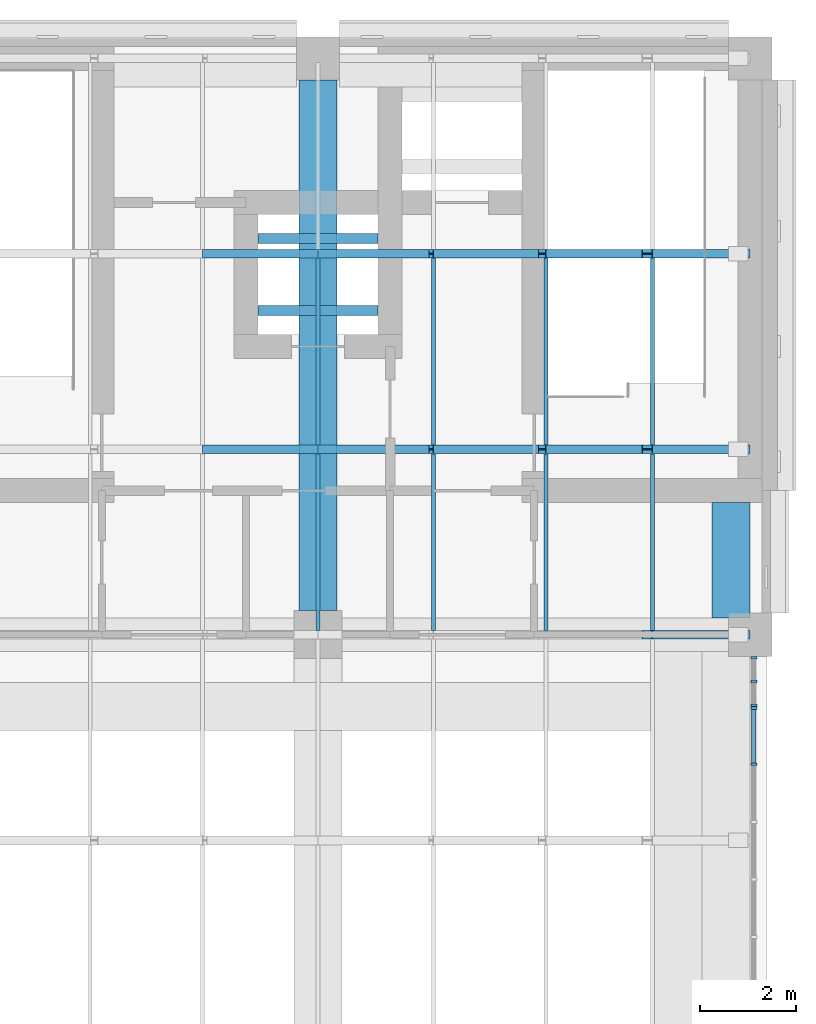
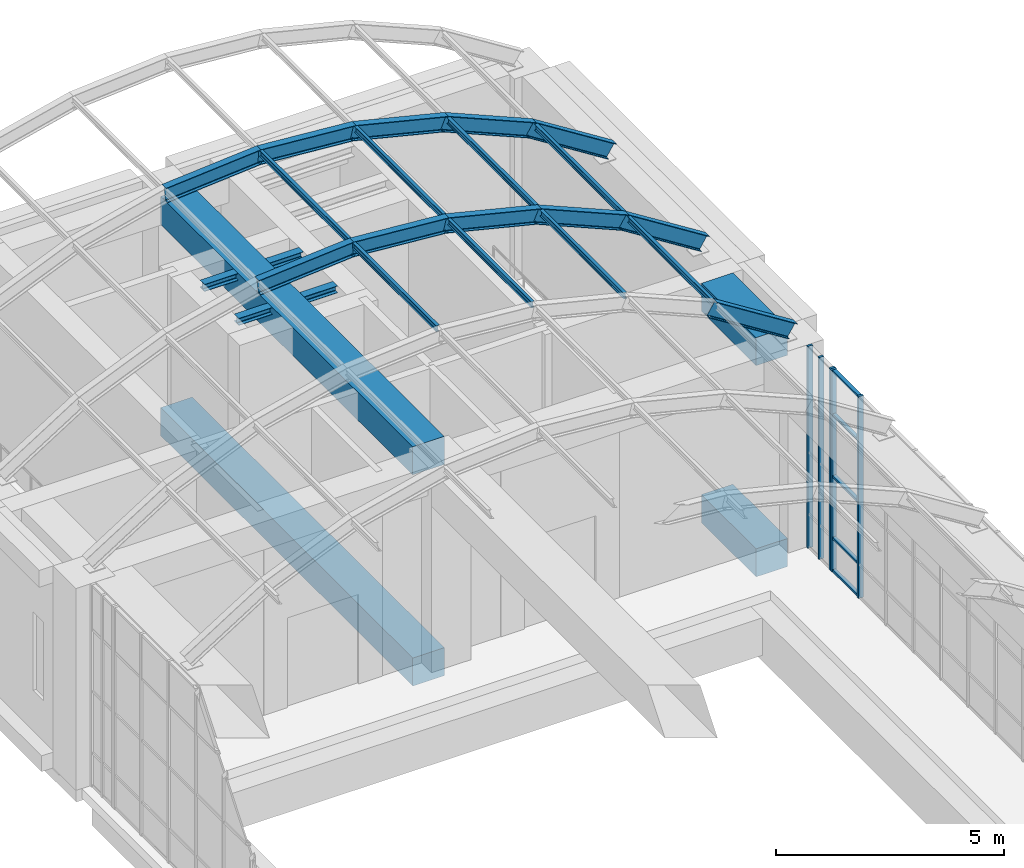
# One storey, part 11 of 39: 29 members, 6 beams, 2 elements without a shape of their own.
"""IFC4 building model written with IfcOpenShell, lengths in metres."""

from ifc_helpers import new_model, si_unit, direction, frame, origin, origin_2d, place, context, subcontext, project, spatial, rectangle, i_section, extrude, material, layer, layer_set, material_profile, profile_set, type_object, element, aggregate, save


model = new_model("IFC4")

# Units and contexts
model_context = context("Model", 3, precision=1e-05, world=origin(), true_north=direction((0.0, 1.0)))
body_context = subcontext(model_context, "Body", "Model", "MODEL_VIEW")
ifc_project = project(units=[si_unit("LENGTHUNIT", "METRE"), si_unit("AREAUNIT", "SQUARE_METRE"), si_unit("VOLUMEUNIT", "CUBIC_METRE"), si_unit("PLANEANGLEUNIT", "RADIAN"), si_unit("MASSUNIT", "GRAM", prefix="KILO")], contexts=[model_context])

# Site, building, storey
site_placement = place(None, origin())
site = spatial("IfcSite", under=ifc_project, at=site_placement, CompositionType="ELEMENT")
building_placement = place(site_placement, origin())
building = spatial("IfcBuilding", under=site, at=building_placement, Name="Aurelan Courthouse", CompositionType="ELEMENT")
storey_placement = place(building_placement, frame((0.0, 0.0, 28.199951171875)))
storey = spatial("IfcBuildingStorey", under=building, at=storey_placement, Name="L05", CompositionType="ELEMENT", Elevation=28.199951171875)

# Curtain wall, members
ifc_material_1 = material(Name="Bronze-finished aluminium and glass", Category="aluminium")
ifc_layer_1 = layer(ifc_material_1, 0.14990234375)
ifc_layer_set_1 = layer_set([ifc_layer_1], Name="Bronze-finished aluminium and glass")
curtain_wall_type_1 = type_object("IfcCurtainWallType", Name="Curtain wall 12000 x 5400", PredefinedType="NOTDEFINED", material=ifc_layer_set_1)
curtain_wall_1_placement = place(storey_placement, origin())
curtain_wall_1 = element("IfcCurtainWall", 1, at=curtain_wall_1_placement, inside=storey, type_object=curtain_wall_type_1, Name="Curtain wall CW-V3-L05-E02", PredefinedType="NOTDEFINED")
ifc_material_2 = material(Name="Bronze-finished aluminium", Category="aluminium")
ifc_material_profile_1 = material_profile(ifc_material_2, rectangle(XDim=0.125, YDim=0.06005859375, at=origin_2d()), Name="Bronze mullion 60 x 125")
ifc_profile_set_1 = profile_set([ifc_material_profile_1], Name="Bronze-finished aluminium")
member_type_1 = type_object("IfcMemberType", Name="Curtain wall mullion 60 x 125", PredefinedType="MULLION", material=ifc_profile_set_1)
member_1_placement = place(storey_placement, frame((90.074951171875, 51.300048828125, 0.0), z_axis=(0.0, 0.0, 1.0), x_axis=(-1.0, 0.0, 0.0)))
member_1 = element("IfcMember", 2, at=member_1_placement, type_object=member_type_1, Name="CW-V3-L05-E02 mullion 10", PredefinedType="MULLION", context=body_context, shape_type="SweptSolid", body=[
    extrude(rectangle(XDim=0.125, YDim=0.06005859375, at=origin_2d()), origin(), (0.0, 0.0, 1.0), 5.400146484375),
])
member_2_placement = place(storey_placement, frame((90.074951171875, 52.469970703125, 0.0), z_axis=(0.0, 0.0, 1.0), x_axis=(-1.0, 0.0, 0.0)))
member_2 = element("IfcMember", 3, at=member_2_placement, type_object=member_type_1, Name="CW-V3-L05-E02 mullion 11", PredefinedType="MULLION", context=body_context, shape_type="SweptSolid", body=[
    extrude(rectangle(XDim=0.125, YDim=0.06005859375, at=origin_2d()), origin(), (0.0, 0.0, 1.0), 5.400146484375),
])

ifc_layer_2 = layer(ifc_material_1, 0.14990234375)
ifc_layer_set_2 = layer_set([ifc_layer_2], Name="Bronze-finished aluminium and glass")
curtain_wall_type_2 = type_object("IfcCurtainWallType", Name="Curtain wall 1050 x 5400", PredefinedType="NOTDEFINED", material=ifc_layer_set_2)
curtain_wall_2_placement = place(storey_placement, origin())
curtain_wall_2 = element("IfcCurtainWall", 4, at=curtain_wall_2_placement, inside=storey, type_object=curtain_wall_type_2, Name="Curtain wall CW-V3-L05-E03", PredefinedType="NOTDEFINED")
member_3_placement = place(storey_placement, frame((90.074951171875, 52.530029296875, 0.0), z_axis=(0.0, 0.0, 1.0), x_axis=(-1.0, 0.0, 0.0)))
member_3 = element("IfcMember", 5, at=member_3_placement, type_object=member_type_1, Name="CW-V3-L05-E03 mullion 1", PredefinedType="MULLION", context=body_context, shape_type="SweptSolid", body=[
    extrude(rectangle(XDim=0.125, YDim=0.06005859375, at=origin_2d()), origin(), (0.0, 0.0, 1.0), 5.400146484375),
])
member_4_placement = place(storey_placement, frame((90.074951171875, 53.02490234375, 0.0), z_axis=(0.0, 0.0, 1.0), x_axis=(-1.0, 0.0, 0.0)))
member_4 = element("IfcMember", 6, at=member_4_placement, type_object=member_type_1, Name="CW-V3-L05-E03 mullion 2", PredefinedType="MULLION", context=body_context, shape_type="SweptSolid", body=[
    extrude(rectangle(XDim=0.125, YDim=0.06005859375, at=origin_2d()), origin(), (0.0, 0.0, 1.0), 5.400146484375),
])
member_5_placement = place(storey_placement, frame((90.074951171875, 53.52001953125, 0.0), z_axis=(0.0, 0.0, 1.0), x_axis=(-1.0, 0.0, 0.0)))
member_5 = element("IfcMember", 7, at=member_5_placement, type_object=member_type_1, Name="CW-V3-L05-E03 mullion 3", PredefinedType="MULLION", context=body_context, shape_type="SweptSolid", body=[
    extrude(rectangle(XDim=0.125, YDim=0.06005859375, at=origin_2d()), origin(), (0.0, 0.0, 1.0), 5.400146484375),
])
aggregate(curtain_wall_2, [member_3, member_4, member_5])

# Member
ifc_material_profile_2 = material_profile(ifc_material_2, rectangle(XDim=0.090087890625, YDim=0.06005859375, at=origin_2d()), Name="Bronze transom 60 x 90")
ifc_profile_set_2 = profile_set([ifc_material_profile_2], Name="Bronze-finished aluminium")
member_type_2 = type_object("IfcMemberType", Name="Curtain wall transom 60 x 90", PredefinedType="USERDEFINED", material=ifc_profile_set_2)
member_6_placement = place(storey_placement, frame((90.074951171875, 51.330078125, 0.030029296875), z_axis=(0.0, 1.0, 0.0), x_axis=(-1.0, 0.0, 0.0)))
member_6 = element("IfcMember", 8, at=member_6_placement, type_object=member_type_2, Name="CW-V3-L05-E02 transom 10.1", ObjectType="TRANSOM", PredefinedType="USERDEFINED", context=body_context, shape_type="SweptSolid", body=[
    extrude(rectangle(XDim=0.090087890625, YDim=0.06005859375, at=origin_2d()), origin(), (0.0, 0.0, 1.0), 1.10986328125),
])

member_7_placement = place(storey_placement, frame((90.074951171875, 51.330078125, 0.900146484375), z_axis=(0.0, 1.0, 0.0), x_axis=(-1.0, 0.0, 0.0)))
member_7 = element("IfcMember", 9, at=member_7_placement, type_object=member_type_2, Name="CW-V3-L05-E02 transom 10.2", ObjectType="TRANSOM", PredefinedType="USERDEFINED", context=body_context, shape_type="SweptSolid", body=[
    extrude(rectangle(XDim=0.090087890625, YDim=0.06005859375, at=origin_2d()), origin(), (0.0, 0.0, 1.0), 1.10986328125),
])

member_8_placement = place(storey_placement, frame((90.074951171875, 51.330078125, 2.550048828125), z_axis=(0.0, 1.0, 0.0), x_axis=(-1.0, 0.0, 0.0)))
member_8 = element("IfcMember", 10, at=member_8_placement, type_object=member_type_2, Name="CW-V3-L05-E02 transom 10.3", ObjectType="TRANSOM", PredefinedType="USERDEFINED", context=body_context, shape_type="SweptSolid", body=[
    extrude(rectangle(XDim=0.090087890625, YDim=0.06005859375, at=origin_2d()), origin(), (0.0, 0.0, 1.0), 1.10986328125),
])

member_9_placement = place(storey_placement, frame((90.074951171875, 51.330078125, 4.199951171875), z_axis=(0.0, 1.0, 0.0), x_axis=(-1.0, 0.0, 0.0)))
member_9 = element("IfcMember", 11, at=member_9_placement, type_object=member_type_2, Name="CW-V3-L05-E02 transom 10.4", ObjectType="TRANSOM", PredefinedType="USERDEFINED", context=body_context, shape_type="SweptSolid", body=[
    extrude(rectangle(XDim=0.090087890625, YDim=0.06005859375, at=origin_2d()), origin(), (0.0, 0.0, 1.0), 1.10986328125),
])

member_10_placement = place(storey_placement, frame((90.074951171875, 51.330078125, 5.3701171875), z_axis=(0.0, 1.0, 0.0), x_axis=(-1.0, 0.0, 0.0)))
member_10 = element("IfcMember", 12, at=member_10_placement, type_object=member_type_2, Name="CW-V3-L05-E02 transom 10.5", ObjectType="TRANSOM", PredefinedType="USERDEFINED", context=body_context, shape_type="SweptSolid", body=[
    extrude(rectangle(XDim=0.090087890625, YDim=0.06005859375, at=origin_2d()), origin(), (0.0, 0.0, 1.0), 1.10986328125),
])

aggregate(curtain_wall_1, [member_1, member_2, member_6, member_7, member_8, member_9, member_10])

# Beams
ifc_material_3 = material(Name="Steel S355", Category="steel")
ifc_material_profile_3 = material_profile(ifc_material_3, i_section(OverallWidth=0.199951171875, OverallDepth=0.18994140625, WebThickness=0.006591796875, FlangeThickness=0.010009765625, FilletRadius=0.01806640625, at=origin_2d()), Name="HEA 200")
ifc_profile_set_3 = profile_set([ifc_material_profile_3], Name="Steel S355")
beam_type_1 = type_object("IfcBeamType", Name="Hoist beam HEA 200", PredefinedType="BEAM", material=ifc_profile_set_3)
for number, where, z_axis, x_axis, name in (
    (13, (79.75, 60.75, 5.304931640625), (1.0, 0.0, 0.0), (0.0, 1.0, 0.0), "Hoist beam HB-V3-P1-1"),
    (14, (79.75, 62.25, 5.304931640625), (1.0, 0.0, 0.0), (0.0, 1.0, 0.0), "Hoist beam HB-V3-P1-2"),
):
    element("IfcBeam", number, at=place(storey_placement, frame(where, z_axis=z_axis, x_axis=x_axis)), inside=storey, type_object=beam_type_1, Name=name, PredefinedType="BEAM", context=body_context, shape_type="SweptSolid", body=[
        extrude(i_section(OverallWidth=0.199951171875, OverallDepth=0.18994140625, WebThickness=0.006591796875, FlangeThickness=0.010009765625, FilletRadius=0.01806640625, at=origin_2d()), origin(), (0.0, 0.0, 1.0), 2.5),
    ])
ifc_material_4 = material(Name="Concrete C50", Category="concrete")
ifc_material_profile_4 = material_profile(ifc_material_4, rectangle(XDim=0.800048828125, YDim=0.75, at=origin_2d()), Name="RC 800 x 750")
ifc_profile_set_4 = profile_set([ifc_material_profile_4], Name="Concrete C50")
beam_type_2 = type_object("IfcBeamType", Name="PT girder 800 x 750", PredefinedType="BEAM", material=ifc_profile_set_4)
beam_1_placement = place(storey_placement, frame((81.0, 54.5, -0.625), z_axis=(0.0, 1.0, 0.0), x_axis=(-1.0, 0.0, 0.0)))
element("IfcBeam", 15, at=beam_1_placement, inside=storey, type_object=beam_type_2, Name="Girder GB-10EF", PredefinedType="BEAM", context=body_context, shape_type="SweptSolid", body=[
    extrude(rectangle(XDim=0.800048828125, YDim=0.75, at=origin_2d()), origin(), (0.0, 0.0, 1.0), 11.050048828125),
])
beam_2_placement = place(storey_placement, frame((89.60009765625, 54.35009765625, -0.625), z_axis=(0.0, 1.0, 0.0), x_axis=(-1.0, 0.0, 0.0)))
element("IfcBeam", 16, at=beam_2_placement, inside=storey, type_object=beam_type_2, Name="Girder GB-11EF-E", PredefinedType="BEAM", context=body_context, shape_type="SweptSolid", body=[
    extrude(rectangle(XDim=0.800048828125, YDim=0.75, at=origin_2d()), origin(), (0.0, 0.0, 1.0), 2.39990234375),
])
beam_3_placement = place(storey_placement, frame((81.0, 54.5, 5.025146484375), z_axis=(0.0, 1.0, 0.0), x_axis=(-1.0, 0.0, 0.0)))
element("IfcBeam", 17, at=beam_3_placement, inside=storey, type_object=beam_type_2, Name="Girder GB-10EFR", PredefinedType="BEAM", context=body_context, shape_type="SweptSolid", body=[
    extrude(rectangle(XDim=0.800048828125, YDim=0.75, at=origin_2d()), origin(), (0.0, 0.0, 1.0), 11.050048828125),
])
beam_4_placement = place(storey_placement, frame((89.60009765625, 54.35009765625, 5.025146484375), z_axis=(0.0, 1.0, 0.0), x_axis=(-1.0, 0.0, 0.0)))
element("IfcBeam", 18, at=beam_4_placement, inside=storey, type_object=beam_type_2, Name="Girder GB-11EFER", PredefinedType="BEAM", context=body_context, shape_type="SweptSolid", body=[
    extrude(rectangle(XDim=0.800048828125, YDim=0.75, at=origin_2d()), origin(), (0.0, 0.0, 1.0), 2.39990234375),
])

# Members
ifc_material_profile_5 = material_profile(ifc_material_3, i_section(OverallWidth=0.08203125, OverallDepth=0.159912109375, WebThickness=0.0048828125, FlangeThickness=0.00732421875, FilletRadius=0.009033203125, at=origin_2d()), Name="IPE 160")
ifc_profile_set_5 = profile_set([ifc_material_profile_5], Name="Steel S355")
member_type_3 = type_object("IfcMemberType", Name="Vault purlin IPE 160", PredefinedType="PURLIN", material=ifc_profile_set_5)
member_11_placement = place(storey_placement, frame((81.0, 54.090087890625, 8.673828125), z_axis=(0.0, 1.0, 0.0), x_axis=(-1.0, 0.0, 0.0)))
element("IfcMember", 19, at=member_11_placement, inside=storey, type_object=member_type_3, Name="Vault purlin VP 4-5", PredefinedType="PURLIN", context=body_context, shape_type="SweptSolid", body=[
    extrude(i_section(OverallWidth=0.08203125, OverallDepth=0.159912109375, WebThickness=0.0048828125, FlangeThickness=0.00732421875, FilletRadius=0.009033203125, at=origin_2d()), origin(), (0.0, 0.0, 1.0), 3.677001953125),
])
member_12_placement = place(storey_placement, frame((81.0, 57.947021484375, 8.673828125), z_axis=(0.0, 1.0, 0.0), x_axis=(-1.0, 0.0, 0.0)))
element("IfcMember", 20, at=member_12_placement, inside=storey, type_object=member_type_3, Name="Vault purlin VP 4-6", PredefinedType="PURLIN", context=body_context, shape_type="SweptSolid", body=[
    extrude(i_section(OverallWidth=0.08203125, OverallDepth=0.159912109375, WebThickness=0.0048828125, FlangeThickness=0.00732421875, FilletRadius=0.009033203125, at=origin_2d()), origin(), (0.0, 0.0, 1.0), 3.8916015625),
])
member_13_placement = place(storey_placement, frame((83.402587890625, 54.090087890625, 8.473388671875), z_axis=(0.0, 1.0, 0.0), x_axis=(-1.0, 0.0, 0.0)))
element("IfcMember", 21, at=member_13_placement, inside=storey, type_object=member_type_3, Name="Vault purlin VP 5-5", PredefinedType="PURLIN", context=body_context, shape_type="SweptSolid", body=[
    extrude(i_section(OverallWidth=0.08203125, OverallDepth=0.159912109375, WebThickness=0.0048828125, FlangeThickness=0.00732421875, FilletRadius=0.009033203125, at=origin_2d()), origin(), (0.0, 0.0, 1.0), 3.677001953125),
])
member_14_placement = place(storey_placement, frame((83.402587890625, 57.947021484375, 8.473388671875), z_axis=(0.0, 1.0, 0.0), x_axis=(-1.0, 0.0, 0.0)))
element("IfcMember", 22, at=member_14_placement, inside=storey, type_object=member_type_3, Name="Vault purlin VP 5-6", PredefinedType="PURLIN", context=body_context, shape_type="SweptSolid", body=[
    extrude(i_section(OverallWidth=0.08203125, OverallDepth=0.159912109375, WebThickness=0.0048828125, FlangeThickness=0.00732421875, FilletRadius=0.009033203125, at=origin_2d()), origin(), (0.0, 0.0, 1.0), 3.8916015625),
])
member_15_placement = place(storey_placement, frame((85.743408203125, 54.090087890625, 7.89013671875), z_axis=(0.0, 1.0, 0.0), x_axis=(-1.0, 0.0, 0.0)))
element("IfcMember", 23, at=member_15_placement, inside=storey, type_object=member_type_3, Name="Vault purlin VP 6-5", PredefinedType="PURLIN", context=body_context, shape_type="SweptSolid", body=[
    extrude(i_section(OverallWidth=0.08203125, OverallDepth=0.159912109375, WebThickness=0.0048828125, FlangeThickness=0.00732421875, FilletRadius=0.009033203125, at=origin_2d()), origin(), (0.0, 0.0, 1.0), 3.677001953125),
])
member_16_placement = place(storey_placement, frame((85.743408203125, 57.947021484375, 7.89013671875), z_axis=(0.0, 1.0, 0.0), x_axis=(-1.0, 0.0, 0.0)))
element("IfcMember", 24, at=member_16_placement, inside=storey, type_object=member_type_3, Name="Vault purlin VP 6-6", PredefinedType="PURLIN", context=body_context, shape_type="SweptSolid", body=[
    extrude(i_section(OverallWidth=0.08203125, OverallDepth=0.159912109375, WebThickness=0.0048828125, FlangeThickness=0.00732421875, FilletRadius=0.009033203125, at=origin_2d()), origin(), (0.0, 0.0, 1.0), 3.8916015625),
])
member_17_placement = place(storey_placement, frame((87.961669921875, 54.090087890625, 6.93798828125), z_axis=(0.0, 1.0, 0.0), x_axis=(-1.0, 0.0, 0.0)))
element("IfcMember", 25, at=member_17_placement, inside=storey, type_object=member_type_3, Name="Vault purlin VP 7-5", PredefinedType="PURLIN", context=body_context, shape_type="SweptSolid", body=[
    extrude(i_section(OverallWidth=0.08203125, OverallDepth=0.159912109375, WebThickness=0.0048828125, FlangeThickness=0.00732421875, FilletRadius=0.009033203125, at=origin_2d()), origin(), (0.0, 0.0, 1.0), 3.677001953125),
])
member_18_placement = place(storey_placement, frame((87.961669921875, 57.947021484375, 6.93798828125), z_axis=(0.0, 1.0, 0.0), x_axis=(-1.0, 0.0, 0.0)))
element("IfcMember", 26, at=member_18_placement, inside=storey, type_object=member_type_3, Name="Vault purlin VP 7-6", PredefinedType="PURLIN", context=body_context, shape_type="SweptSolid", body=[
    extrude(i_section(OverallWidth=0.08203125, OverallDepth=0.159912109375, WebThickness=0.0048828125, FlangeThickness=0.00732421875, FilletRadius=0.009033203125, at=origin_2d()), origin(), (0.0, 0.0, 1.0), 3.8916015625),
])
ifc_material_profile_6 = material_profile(ifc_material_3, i_section(OverallWidth=0.179931640625, OverallDepth=0.39990234375, WebThickness=0.008544921875, FlangeThickness=0.013427734375, FilletRadius=0.02099609375, at=origin_2d()), Name="IPE 400")
ifc_profile_set_6 = profile_set([ifc_material_profile_6], Name="Steel S355")
member_type_4 = type_object("IfcMemberType", Name="Vault rib IPE 400", PredefinedType="RAFTER", material=ifc_profile_set_6)
for number, where, z_axis, x_axis, name in (
    (27, (87.854736328125, 54.0, 6.875732421875), (0.84565732059, 0.0, -0.533726237067), (0.0, 1.0, 0.0), "Vault rib VR-5 segment 8"),
    (28, (78.61328125, 57.857177734375, 8.365234375), (0.996769711299, 0.0, 0.080312780031), (0.0, 1.0, 0.0), "Vault rib VR-6 segment 4"),
    (29, (80.98388671875, 57.857177734375, 8.558837890625), (0.996769711299, 0.0, -0.080312780031), (0.0, 1.0, 0.0), "Vault rib VR-6 segment 5"),
):
    element("IfcMember", number, at=place(storey_placement, frame(where, z_axis=z_axis, x_axis=x_axis)), inside=storey, type_object=member_type_4, Name=name, PredefinedType="RAFTER", context=body_context, shape_type="SweptSolid", body=[
        extrude(i_section(OverallWidth=0.179931640625, OverallDepth=0.39990234375, WebThickness=0.008544921875, FlangeThickness=0.013427734375, FilletRadius=0.02099609375, at=origin_2d()), origin(), (0.0, 0.0, 1.0), 2.41064453125),
    ])
member_19_placement = place(storey_placement, frame((83.35498046875, 57.857177734375, 8.370361328125), z_axis=(0.971011985674, 0.0, -0.239030800687), x_axis=(0.0, 1.0, 0.0)))
element("IfcMember", 30, at=member_19_placement, inside=storey, type_object=member_type_4, Name="Vault rib VR-6 segment 6", PredefinedType="RAFTER", context=body_context, shape_type="SweptSolid", body=[
    extrude(i_section(OverallWidth=0.179931640625, OverallDepth=0.39990234375, WebThickness=0.008544921875, FlangeThickness=0.013427734375, FilletRadius=0.02099609375, at=origin_2d()), origin(), (0.0, 0.0, 1.0), 2.410400390625),
])
for number, where, z_axis, x_axis, name in (
    (31, (85.6650390625, 57.857177734375, 7.804443359375), (0.920205091929, 0.0, -0.391436570582), (0.0, 1.0, 0.0), "Vault rib VR-6 segment 7"),
    (32, (87.854736328125, 57.857177734375, 6.875732421875), (0.84565732059, 0.0, -0.533726237067), (0.0, 1.0, 0.0), "Vault rib VR-6 segment 8"),
    (33, (78.61328125, 61.9287109375, 8.365234375), (0.996769711299, 0.0, 0.080312780031), (0.0, 1.0, 0.0), "Vault rib VR-7 segment 4"),
    (34, (80.98388671875, 61.9287109375, 8.558837890625), (0.996769711299, 0.0, -0.080312780031), (0.0, 1.0, 0.0), "Vault rib VR-7 segment 5"),
):
    element("IfcMember", number, at=place(storey_placement, frame(where, z_axis=z_axis, x_axis=x_axis)), inside=storey, type_object=member_type_4, Name=name, PredefinedType="RAFTER", context=body_context, shape_type="SweptSolid", body=[
        extrude(i_section(OverallWidth=0.179931640625, OverallDepth=0.39990234375, WebThickness=0.008544921875, FlangeThickness=0.013427734375, FilletRadius=0.02099609375, at=origin_2d()), origin(), (0.0, 0.0, 1.0), 2.41064453125),
    ])
member_20_placement = place(storey_placement, frame((83.35498046875, 61.9287109375, 8.370361328125), z_axis=(0.971011985674, 0.0, -0.239030800687), x_axis=(0.0, 1.0, 0.0)))
element("IfcMember", 35, at=member_20_placement, inside=storey, type_object=member_type_4, Name="Vault rib VR-7 segment 6", PredefinedType="RAFTER", context=body_context, shape_type="SweptSolid", body=[
    extrude(i_section(OverallWidth=0.179931640625, OverallDepth=0.39990234375, WebThickness=0.008544921875, FlangeThickness=0.013427734375, FilletRadius=0.02099609375, at=origin_2d()), origin(), (0.0, 0.0, 1.0), 2.410400390625),
])
for number, where, z_axis, x_axis, name in (
    (36, (85.6650390625, 61.9287109375, 7.804443359375), (0.920205091929, 0.0, -0.391436570582), (0.0, 1.0, 0.0), "Vault rib VR-7 segment 7"),
    (37, (87.854736328125, 61.9287109375, 6.875732421875), (0.84565732059, 0.0, -0.533726237067), (0.0, 1.0, 0.0), "Vault rib VR-7 segment 8"),
):
    element("IfcMember", number, at=place(storey_placement, frame(where, z_axis=z_axis, x_axis=x_axis)), inside=storey, type_object=member_type_4, Name=name, PredefinedType="RAFTER", context=body_context, shape_type="SweptSolid", body=[
        extrude(i_section(OverallWidth=0.179931640625, OverallDepth=0.39990234375, WebThickness=0.008544921875, FlangeThickness=0.013427734375, FilletRadius=0.02099609375, at=origin_2d()), origin(), (0.0, 0.0, 1.0), 2.41064453125),
    ])

save(model, "model.ifc")
